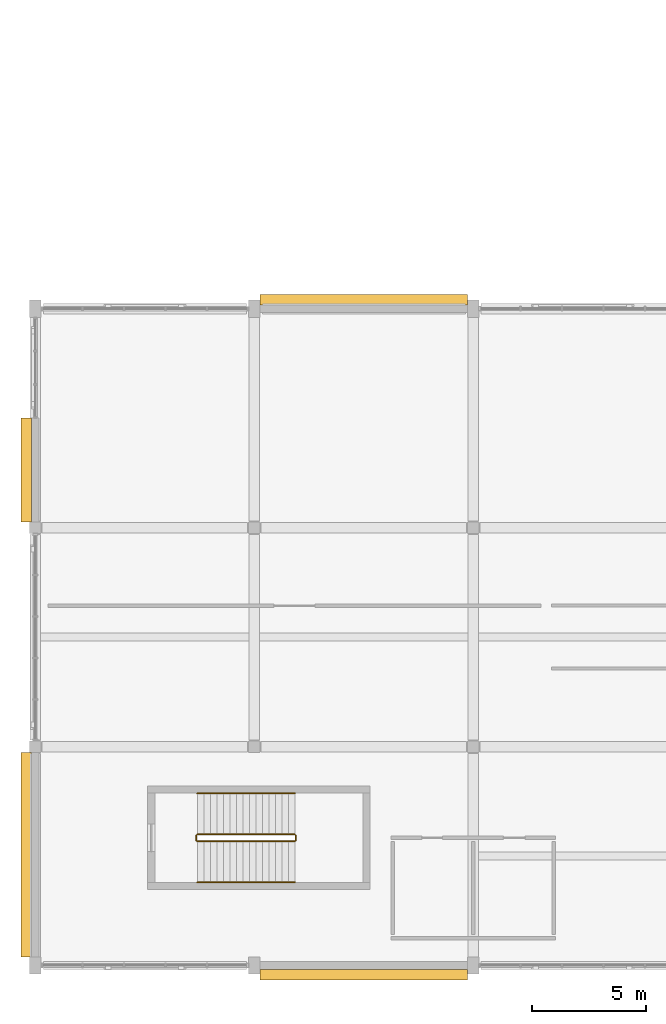
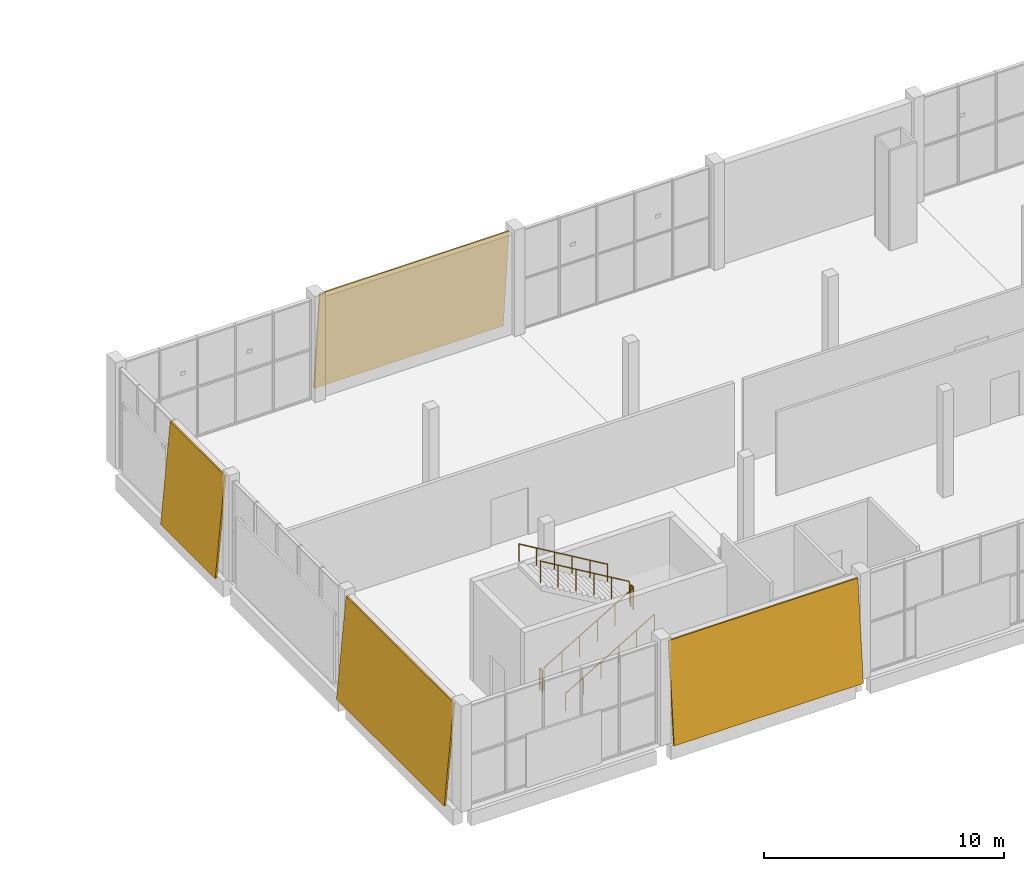
# One storey, part 68 of 83: 6 railings, 4 coverings.
"""IFC4 building model written with IfcOpenShell, lengths in metres."""

from ifc_helpers import new_model, si_unit, direction, frame, origin, origin_2d, place, context, subcontext, project, spatial, polyline, circle, outline, extrude, material, layer, layer_set, type_object, element, save


model = new_model("IFC4")

# Units and contexts
model_context = context("Model", 3, precision=1e-05, world=origin(), true_north=direction((0.0, 1.0)))
body_context = subcontext(model_context, "Body", "Model", "MODEL_VIEW")
ifc_project = project(units=[si_unit("LENGTHUNIT", "METRE"), si_unit("AREAUNIT", "SQUARE_METRE"), si_unit("VOLUMEUNIT", "CUBIC_METRE"), si_unit("PLANEANGLEUNIT", "RADIAN"), si_unit("MASSUNIT", "GRAM", prefix="KILO")], contexts=[model_context])

# Site, building, storey
site_placement = place(None, origin())
site = spatial("IfcSite", under=ifc_project, at=site_placement, CompositionType="ELEMENT")
building_placement = place(site_placement, origin())
building = spatial("IfcBuilding", under=site, at=building_placement, Name="Shalvenor Court Art Gallery", CompositionType="ELEMENT")
storey_placement = place(building_placement, frame((0.0, 0.0, 6.0)))
storey = spatial("IfcBuildingStorey", under=building, at=storey_placement, Name="L01", CompositionType="ELEMENT", Elevation=6.0)

# Coverings
ifc_material_1 = material(Name="Honed Jerusalem limestone cladding", Category="masonry")
ifc_layer = layer(ifc_material_1, 0.06494140625, Name="Honed Jerusalem limestone cladding")
ifc_layer_set = layer_set([ifc_layer], Name="Honed Jerusalem limestone cladding")
covering_type = type_object("IfcCoveringType", Name="CLD-02", PredefinedType="CLADDING", material=ifc_layer_set)
for number, where, z_axis, x_axis, name in (
    (1, (18.949951171875, 29.432373046875, 0.0), (0.0, 0.0, 1.0), (-1.0, 0.0, 0.0), "L01 V4 Tapered Limestone Cladding 71"),
    (2, (9.85009765625, -0.63232421875, 0.0), (0.0, 0.0, 1.0), (1.0, 0.0, 0.0), "L01 V4 Tapered Limestone Cladding 78"),
):
    element("IfcCovering", number, at=place(storey_placement, frame(where, z_axis=z_axis, x_axis=x_axis)), inside=storey, type_object=covering_type, Name=name, PredefinedType="CLADDING", context=body_context, shape_type="SweptSolid", body=[
        extrude(outline(polyline([(0.0, 0.0), (9.099853515625, 0.0), (9.099853515625, 5.10107421875), (0.0, 5.10107421875), (0.0, 0.0)])), frame((0.0, 0.0, 0.0), z_axis=(0.0, -0.995884398616, 0.090632580198), x_axis=(1.0, 0.0, 0.0)), (0.0, 0.090632580198, -0.995884398616), 0.080322265625),
    ])
covering_1_placement = place(storey_placement, frame((-0.63232421875, 9.35009765625, 0.0), z_axis=(0.0, 0.0, 1.0), x_axis=(0.0, -1.0, 0.0)))
element("IfcCovering", 3, at=covering_1_placement, inside=storey, type_object=covering_type, Name="L01 V4 Tapered Limestone Cladding 79", PredefinedType="CLADDING", context=body_context, shape_type="SweptSolid", body=[
    extrude(outline(polyline([(0.0, 0.0), (8.97509765625, 0.0), (8.97509765625, 5.10107421875), (0.0, 5.10107421875), (0.0, 0.0)])), frame((0.0, 0.0, 0.0), z_axis=(0.0, -0.995884398616, 0.090632580198), x_axis=(1.0, 0.0, 0.0)), (0.0, 0.090632580198, -0.995884398616), 0.080322265625),
])
covering_2_placement = place(storey_placement, frame((-0.63232421875, 24.0, 0.0), z_axis=(0.0, 0.0, 1.0), x_axis=(0.0, -1.0, 0.0)))
element("IfcCovering", 4, at=covering_2_placement, inside=storey, type_object=covering_type, Name="L01 V4 Tapered Limestone Cladding 80", PredefinedType="CLADDING", context=body_context, shape_type="SweptSolid", body=[
    extrude(outline(polyline([(0.0, 0.0), (4.550048828125, 0.0), (4.550048828125, 5.10107421875), (0.0, 5.10107421875), (0.0, 0.0)])), frame((0.0, 0.0, 0.0), z_axis=(0.0, -0.995884398616, 0.090632580198), x_axis=(1.0, 0.0, 0.0)), (0.0, 0.090632580198, -0.995884398616), 0.080322265625),
])

# Railings
ifc_material_2 = material(Name="Painted steel post-and-rail guard", Category="steel")
railing_type_1 = type_object("IfcRailingType", Name="GR-02", PredefinedType="GUARDRAIL", material=ifc_material_2)
railing_1_placement = place(storey_placement, frame((7.10009765625, 5.449951171875, 0.168701171875)))
element("IfcRailing", 5, at=railing_1_placement, inside=storey, type_object=railing_type_1, Name="L01 ST-07 Stair Guard 1", PredefinedType="GUARDRAIL", context=body_context, shape_type="SweptSolid", body=[
    extrude(circle(Radius=0.02392578125, at=origin_2d()), frame((0.0, 0.0, 1.09619140625), z_axis=(0.860470286479, 0.0, 0.509500624227), x_axis=(0.0, 1.0, 0.0)), (0.0, 0.0, 1.0), 4.968017578125),
    extrude(circle(Radius=0.02099609375, at=origin_2d()), origin(), (0.0, 0.0, 1.0), 1.072021484375),
    extrude(circle(Radius=0.02099609375, at=origin_2d()), frame((0.85498046875, 0.0, 0.50634765625)), (0.0, 0.0, 1.0), 1.072021484375),
    extrude(circle(Radius=0.02099609375, at=origin_2d()), frame((1.7099609375, 0.0, 1.012451171875)), (0.0, 0.0, 1.0), 1.072021484375),
    extrude(circle(Radius=0.02099609375, at=origin_2d()), frame((2.56494140625, 0.0, 1.518798828125)), (0.0, 0.0, 1.0), 1.072021484375),
    extrude(circle(Radius=0.02099609375, at=origin_2d()), frame((3.419921875, 0.0, 2.02490234375)), (0.0, 0.0, 1.0), 1.072021484375),
    extrude(circle(Radius=0.02099609375, at=origin_2d()), frame((4.27490234375, 0.0, 2.53125)), (0.0, 0.0, 1.0), 1.072021484375),
])
railing_2_placement = place(storey_placement, frame((11.425048828125, 5.5, 2.699951171875)))
element("IfcRailing", 6, at=railing_2_placement, inside=storey, type_object=railing_type_1, Name="L01 ST-07 Stair Guard 2", PredefinedType="GUARDRAIL", context=body_context, shape_type="SweptSolid", body=[
    extrude(circle(Radius=0.02392578125, at=origin_2d()), frame((0.0, 0.0, 1.09619140625), z_axis=(0.0, 1.0, 0.0), x_axis=(-1.0, 0.0, 0.0)), (0.0, 0.0, 1.0), 0.199951171875),
    extrude(circle(Radius=0.02099609375, at=origin_2d()), origin(), (0.0, 0.0, 1.0), 1.072021484375),
    extrude(circle(Radius=0.02099609375, at=origin_2d()), frame((0.0, 0.199951171875, 0.0)), (0.0, 0.0, 1.0), 1.072021484375),
])
railing_3_placement = place(storey_placement, frame((11.375, 5.75, 2.86865234375)))
element("IfcRailing", 7, at=railing_3_placement, inside=storey, type_object=railing_type_1, Name="L01 ST-07 Stair Guard 3", PredefinedType="GUARDRAIL", context=body_context, shape_type="SweptSolid", body=[
    extrude(circle(Radius=0.02392578125, at=origin_2d()), frame((0.0, 0.0, 1.09619140625), z_axis=(-0.860470286479, 0.0, 0.509500624227), x_axis=(0.0, -1.0, 0.0)), (0.0, 0.0, 1.0), 4.968017578125),
    extrude(circle(Radius=0.02099609375, at=origin_2d()), origin(), (0.0, 0.0, 1.0), 1.072021484375),
    extrude(circle(Radius=0.02099609375, at=origin_2d()), frame((-0.85498046875, 0.0, 0.50634765625)), (0.0, 0.0, 1.0), 1.072021484375),
    extrude(circle(Radius=0.02099609375, at=origin_2d()), frame((-1.7099609375, 0.0, 1.012451171875)), (0.0, 0.0, 1.0), 1.072021484375),
    extrude(circle(Radius=0.02099609375, at=origin_2d()), frame((-2.56494140625, 0.0, 1.518798828125)), (0.0, 0.0, 1.0), 1.072021484375),
    extrude(circle(Radius=0.02099609375, at=origin_2d()), frame((-3.419921875, 0.0, 2.02490234375)), (0.0, 0.0, 1.0), 1.072021484375),
    extrude(circle(Radius=0.02099609375, at=origin_2d()), frame((-4.27490234375, 0.0, 2.53125)), (0.0, 0.0, 1.0), 1.072021484375),
])
railing_4_placement = place(storey_placement, frame((7.050048828125, 5.5, 0.0)))
element("IfcRailing", 8, at=railing_4_placement, inside=storey, type_object=railing_type_1, Name="L01 ST-07 Stair Guard 4", PredefinedType="GUARDRAIL", context=body_context, shape_type="SweptSolid", body=[
    extrude(circle(Radius=0.02392578125, at=origin_2d()), frame((0.0, 0.0, 1.09619140625), z_axis=(0.0, 1.0, 0.0), x_axis=(-1.0, 0.0, 0.0)), (0.0, 0.0, 1.0), 0.199951171875),
    extrude(circle(Radius=0.02099609375, at=origin_2d()), origin(), (0.0, 0.0, 1.0), 1.072021484375),
    extrude(circle(Radius=0.02099609375, at=origin_2d()), frame((0.0, 0.199951171875, 0.0)), (0.0, 0.0, 1.0), 1.072021484375),
])
ifc_material_3 = material(Name="Brushed stainless steel handrail", Category="steel")
railing_type_2 = type_object("IfcRailingType", Name="HR-01", PredefinedType="HANDRAIL", material=ifc_material_3)
railing_5_placement = place(storey_placement, frame((7.10009765625, 3.64990234375, 0.168701171875)))
element("IfcRailing", 9, at=railing_5_placement, inside=storey, type_object=railing_type_2, Name="L01 ST-07 Stair Handrail 1", PredefinedType="HANDRAIL", context=body_context, shape_type="SweptSolid", body=[
    extrude(circle(Radius=0.02392578125, at=origin_2d()), frame((0.0, 0.0, 0.8759765625), z_axis=(0.860470286479, 0.0, 0.509500624227), x_axis=(0.0, 1.0, 0.0)), (0.0, 0.0, 1.0), 4.968017578125),
    extrude(circle(Radius=0.02099609375, at=origin_2d()), origin(), (0.0, 0.0, 1.0), 0.851806640625),
    extrude(circle(Radius=0.02099609375, at=origin_2d()), frame((0.85498046875, 0.0, 0.50634765625)), (0.0, 0.0, 1.0), 0.851806640625),
    extrude(circle(Radius=0.02099609375, at=origin_2d()), frame((1.7099609375, 0.0, 1.012451171875)), (0.0, 0.0, 1.0), 0.851806640625),
    extrude(circle(Radius=0.02099609375, at=origin_2d()), frame((2.56494140625, 0.0, 1.518798828125)), (0.0, 0.0, 1.0), 0.851806640625),
    extrude(circle(Radius=0.02099609375, at=origin_2d()), frame((3.419921875, 0.0, 2.02490234375)), (0.0, 0.0, 1.0), 0.851806640625),
    extrude(circle(Radius=0.02099609375, at=origin_2d()), frame((4.27490234375, 0.0, 2.53125)), (0.0, 0.0, 1.0), 0.851806640625),
])
railing_6_placement = place(storey_placement, frame((11.375, 7.550048828125, 2.86865234375)))
element("IfcRailing", 10, at=railing_6_placement, inside=storey, type_object=railing_type_2, Name="L01 ST-07 Stair Handrail 2", PredefinedType="HANDRAIL", context=body_context, shape_type="SweptSolid", body=[
    extrude(circle(Radius=0.02392578125, at=origin_2d()), frame((0.0, 0.0, 0.8759765625), z_axis=(-0.860470286479, 0.0, 0.509500624227), x_axis=(0.0, -1.0, 0.0)), (0.0, 0.0, 1.0), 4.968017578125),
    extrude(circle(Radius=0.02099609375, at=origin_2d()), origin(), (0.0, 0.0, 1.0), 0.851806640625),
    extrude(circle(Radius=0.02099609375, at=origin_2d()), frame((-0.85498046875, 0.0, 0.50634765625)), (0.0, 0.0, 1.0), 0.851806640625),
    extrude(circle(Radius=0.02099609375, at=origin_2d()), frame((-1.7099609375, 0.0, 1.012451171875)), (0.0, 0.0, 1.0), 0.851806640625),
    extrude(circle(Radius=0.02099609375, at=origin_2d()), frame((-2.56494140625, 0.0, 1.518798828125)), (0.0, 0.0, 1.0), 0.851806640625),
    extrude(circle(Radius=0.02099609375, at=origin_2d()), frame((-3.419921875, 0.0, 2.02490234375)), (0.0, 0.0, 1.0), 0.851806640625),
    extrude(circle(Radius=0.02099609375, at=origin_2d()), frame((-4.27490234375, 0.0, 2.53125)), (0.0, 0.0, 1.0), 0.851806640625),
])

save(model, "model.ifc")
